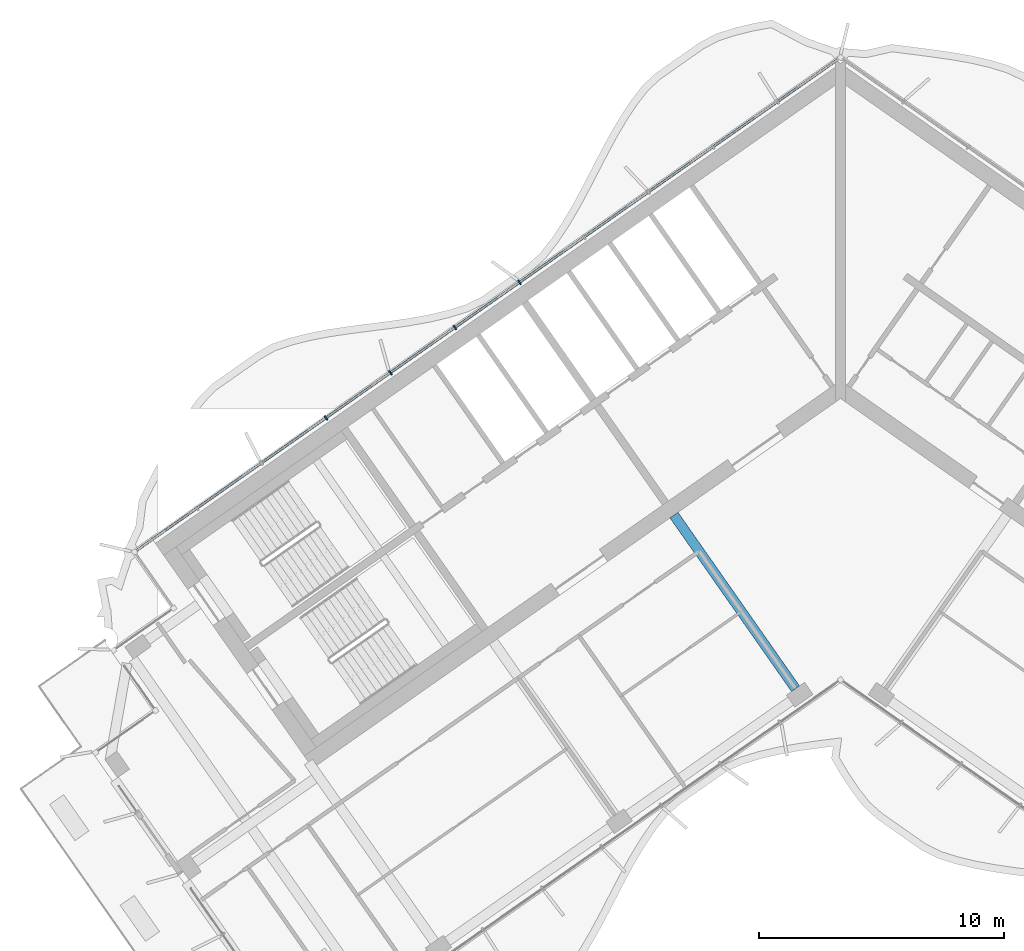
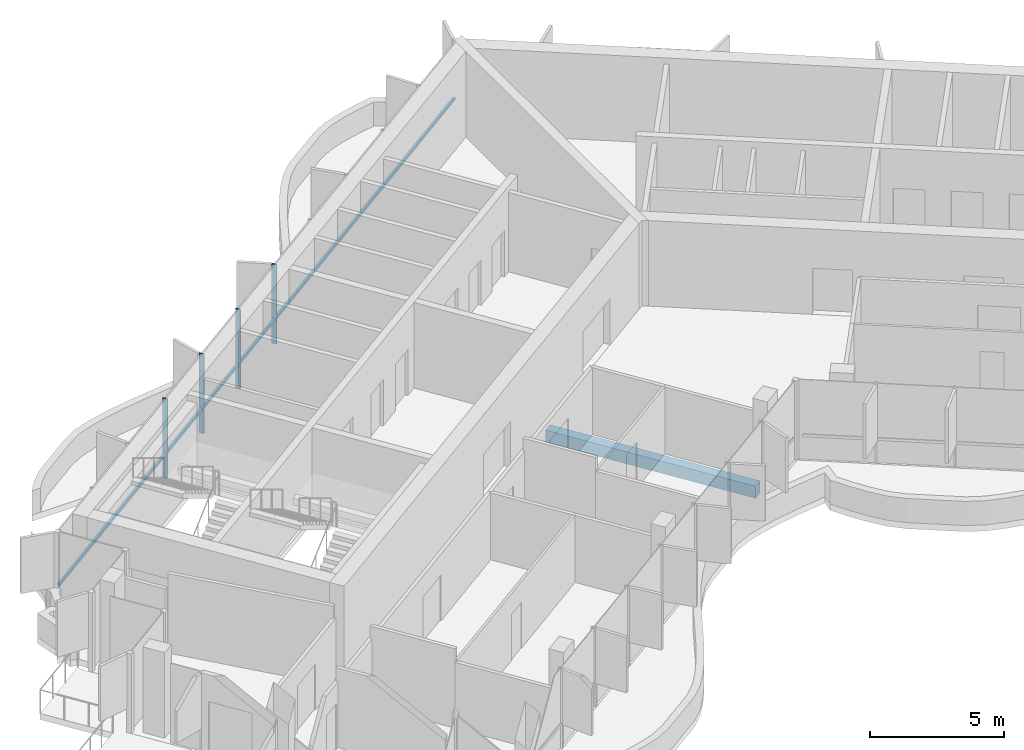
# One storey, part 3 of 18: 5 members, 1 beam, 1 element without a shape of its own.
"""IFC4 building model written with IfcOpenShell, lengths in metres."""

from ifc_helpers import new_model, si_unit, direction, frame, origin, origin_2d, place, context, subcontext, project, spatial, rectangle, extrude, material, material_profile, profile_set, type_object, element, aggregate, save


model = new_model("IFC4")

# Units and contexts
model_context = context("Model", 3, precision=1e-05, world=origin(), true_north=direction((0.0, 1.0)))
body_context = subcontext(model_context, "Body", "Model", "MODEL_VIEW")
ifc_project = project(units=[si_unit("LENGTHUNIT", "METRE"), si_unit("AREAUNIT", "SQUARE_METRE"), si_unit("VOLUMEUNIT", "CUBIC_METRE"), si_unit("PLANEANGLEUNIT", "RADIAN"), si_unit("MASSUNIT", "GRAM", prefix="KILO")], contexts=[model_context])

# Site, building, storey
site_placement = place(None, origin())
site = spatial("IfcSite", under=ifc_project, at=site_placement, CompositionType="ELEMENT")
building_placement = place(site_placement, origin())
building = spatial("IfcBuilding", under=site, at=building_placement, Name="Tel Ilan Convention Tower", CompositionType="ELEMENT")
storey_placement = place(building_placement, frame((0.0, 0.0, 295.60009765625)))
storey = spatial("IfcBuildingStorey", under=building, at=storey_placement, Name="L70", CompositionType="ELEMENT", Elevation=295.60009765625)

# Beam
ifc_material_1 = material(Name="Concrete C40/50", Category="concrete")
ifc_material_profile_1 = material_profile(ifc_material_1, rectangle(XDim=0.39990234375, YDim=0.550048828125, at=origin_2d()), Name="RC 400x550")
ifc_profile_set_1 = profile_set([ifc_material_profile_1], Name="Concrete C40/50")
beam_type = type_object("IfcBeamType", Name="Beam RC 400x550 Concrete C40/50", PredefinedType="BEAM", material=ifc_profile_set_1)
beam_placement = place(storey_placement, frame((-1.83740234375, -13.06689453125, -0.55517578125), z_axis=(-0.573574099654, 0.819153680457, 0.0), x_axis=(-0.819153680457, -0.573574099654, 0.0)))
element("IfcBeam", 1, at=beam_placement, inside=storey, type_object=beam_type, Name="L70 beam W-W-F1-core", PredefinedType="BEAM", context=body_context, shape_type="SweptSolid", body=[
    extrude(rectangle(XDim=0.39990234375, YDim=0.550048828125, at=origin_2d()), origin(), (0.0, 0.0, 1.0), 8.64990234375),
])

# Curtain wall, members
ifc_material_2 = material(Name="Aluminium, bronze anodised", Category="aluminium")
curtain_wall_type = type_object("IfcCurtainWallType", Name="CW2 STICK CURTAIN WALL, SPANDREL PANELS", PredefinedType="NOTDEFINED", material=ifc_material_2)
curtain_wall_placement = place(storey_placement, origin())
curtain_wall = element("IfcCurtainWall", 2, at=curtain_wall_placement, inside=storey, type_object=curtain_wall_type, Name="Curtain wall CW2-53.01", PredefinedType="NOTDEFINED")
ifc_material_3 = material(Name="Aluminium, bronze anodised", Category="aluminium")
ifc_material_profile_2 = material_profile(ifc_material_3, rectangle(XDim=0.06005859375, YDim=0.199951171875, at=origin_2d()), Name="CW MULLION 60x200")
ifc_profile_set_2 = profile_set([ifc_material_profile_2], Name="Aluminium, bronze anodised")
member_type_1 = type_object("IfcMemberType", Name="CW MULLION 60x200", PredefinedType="MULLION", material=ifc_profile_set_2)
member_1_placement = place(storey_placement, frame((-13.105712890625, 3.519287109375, 0.0), z_axis=(0.0, 0.0, 1.0), x_axis=(-0.819152044289, -0.573576436351, 0.0)))
member_1 = element("IfcMember", 3, at=member_1_placement, type_object=member_type_1, Name="Mullion", PredefinedType="MULLION", context=body_context, shape_type="SweptSolid", body=[
    extrude(rectangle(XDim=0.06005859375, YDim=0.199951171875, at=origin_2d()), origin(), (0.0, 0.0, 1.0), 3.619873046875),
])
member_2_placement = place(storey_placement, frame((-15.73828125, 1.676025390625, 0.0), z_axis=(0.0, 0.0, 1.0), x_axis=(-0.819152044289, -0.573576436351, 0.0)))
member_2 = element("IfcMember", 4, at=member_2_placement, type_object=member_type_1, Name="Mullion", PredefinedType="MULLION", context=body_context, shape_type="SweptSolid", body=[
    extrude(rectangle(XDim=0.06005859375, YDim=0.199951171875, at=origin_2d()), origin(), (0.0, 0.0, 1.0), 3.619873046875),
])
member_3_placement = place(storey_placement, frame((-18.37109375, -0.16748046875, 0.0), z_axis=(0.0, 0.0, 1.0), x_axis=(-0.819152044289, -0.573576436351, 0.0)))
member_3 = element("IfcMember", 5, at=member_3_placement, type_object=member_type_1, Name="Mullion", PredefinedType="MULLION", context=body_context, shape_type="SweptSolid", body=[
    extrude(rectangle(XDim=0.06005859375, YDim=0.199951171875, at=origin_2d()), origin(), (0.0, 0.0, 1.0), 3.619873046875),
])
member_4_placement = place(storey_placement, frame((-21.003662109375, -2.0107421875, 0.0), z_axis=(0.0, 0.0, 1.0), x_axis=(-0.819152044289, -0.573576436351, 0.0)))
member_4 = element("IfcMember", 6, at=member_4_placement, type_object=member_type_1, Name="Mullion", PredefinedType="MULLION", context=body_context, shape_type="SweptSolid", body=[
    extrude(rectangle(XDim=0.06005859375, YDim=0.199951171875, at=origin_2d()), origin(), (0.0, 0.0, 1.0), 3.619873046875),
])
ifc_material_4 = material(Name="Aluminium, bronze anodised", Category="aluminium")
ifc_material_profile_3 = material_profile(ifc_material_4, rectangle(XDim=0.10009765625, YDim=0.1201171875, at=origin_2d()), Name="CW TRANSOM 100x120")
ifc_profile_set_3 = profile_set([ifc_material_profile_3], Name="Aluminium, bronze anodised")
member_type_2 = type_object("IfcMemberType", Name="CW TRANSOM 100x120", PredefinedType="USERDEFINED", material=ifc_profile_set_3)
member_5_placement = place(storey_placement, frame((-0.1064453125, 12.62158203125, 1.099853515625), z_axis=(-0.819150201937, -0.573579067494, 0.0), x_axis=(0.573579067494, -0.819150201937, 0.0)))
member_5 = element("IfcMember", 7, at=member_5_placement, type_object=member_type_2, Name="Transom", ObjectType="TRANSOM", PredefinedType="USERDEFINED", context=body_context, shape_type="SweptSolid", body=[
    extrude(rectangle(XDim=0.10009765625, YDim=0.1201171875, at=origin_2d()), origin(), (0.0, 0.0, 1.0), 34.9521484375),
])
aggregate(curtain_wall, [member_1, member_2, member_3, member_4, member_5])

save(model, "model.ifc")
